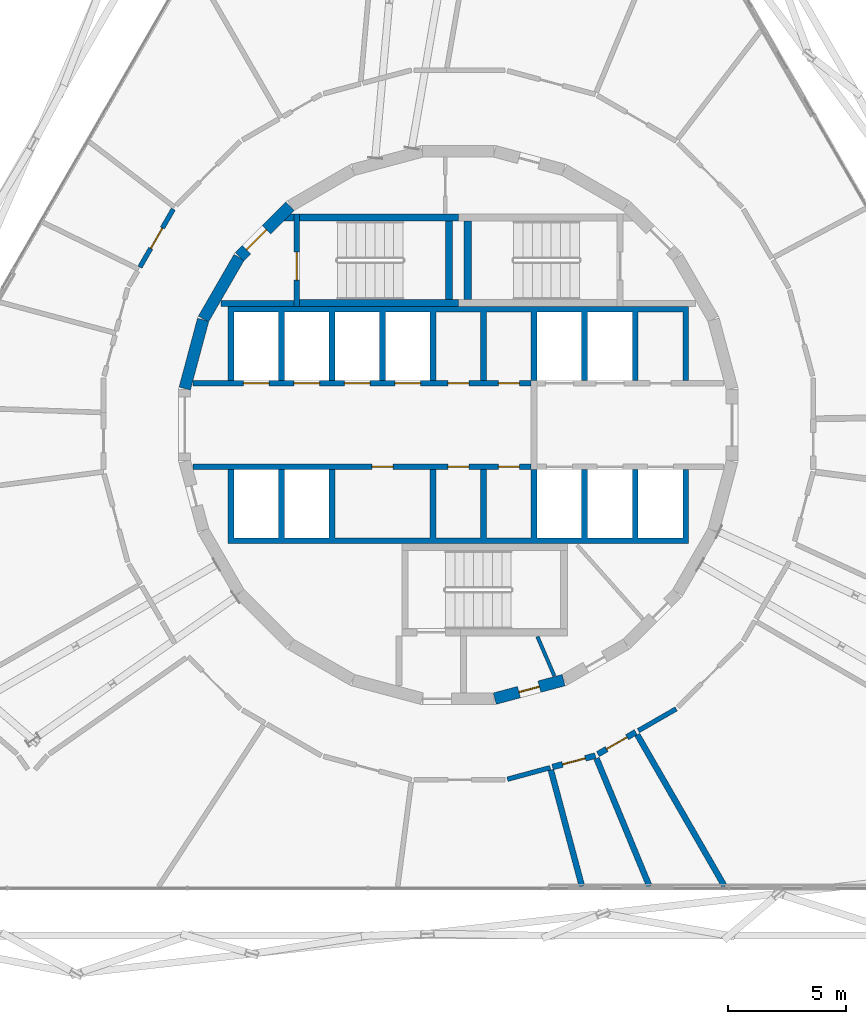
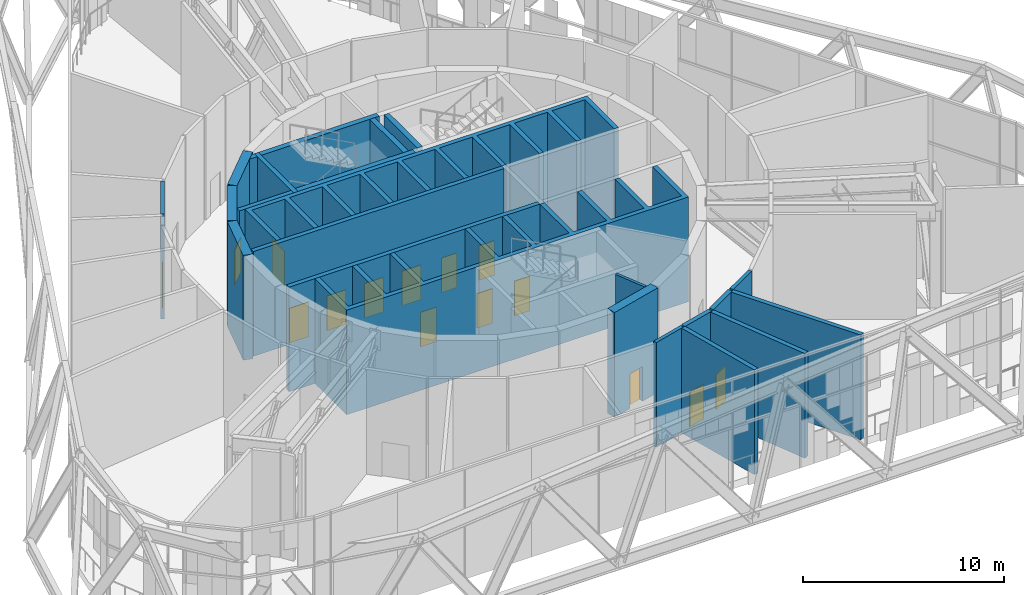
# One storey, part 24 of 29: 24 walls, 15 doors, 15 openings.
"""IFC4 building model written with IfcOpenShell, lengths in metres."""

from ifc_helpers import new_model, si_unit, direction, frame, frame_2d, origin, place, context, subcontext, project, spatial, polyline, rectangle, outline, extrude, material, layer, layer_set, type_object, element, fill, save


model = new_model("IFC4")

# Units and contexts
model_context = context("Model", 3, precision=1e-05, world=origin(), true_north=direction((0.0, 1.0)))
body_context = subcontext(model_context, "Body", "Model", "MODEL_VIEW")
ifc_project = project(units=[si_unit("LENGTHUNIT", "METRE"), si_unit("AREAUNIT", "SQUARE_METRE"), si_unit("VOLUMEUNIT", "CUBIC_METRE"), si_unit("PLANEANGLEUNIT", "RADIAN"), si_unit("MASSUNIT", "GRAM", prefix="KILO")], contexts=[model_context])

# Site, building, storey
site_placement = place(None, origin())
site = spatial("IfcSite", under=ifc_project, at=site_placement, CompositionType="ELEMENT")
building_placement = place(site_placement, origin())
building = spatial("IfcBuilding", under=site, at=building_placement, Name="Spindle Arch Residences", CompositionType="ELEMENT")
storey_placement = place(building_placement, frame((0.0, 0.0, 69.89990234375)))
storey = spatial("IfcBuildingStorey", under=building, at=storey_placement, Name="L16", CompositionType="ELEMENT", Elevation=69.89990234375)

# Wall, opening, door
ifc_material_1 = material(Name="Concrete C50/60", Category="concrete")
ifc_layer_1 = layer(ifc_material_1, 0.5)
ifc_layer_set_1 = layer_set([ifc_layer_1], Name="Core outline wall 500")
wall_type_1 = type_object("IfcWallType", Name="Core outline wall 500", PredefinedType="SHEAR", material=ifc_layer_set_1)
wall_1_placement = place(storey_placement, frame((1.5498046875, -11.642822265625, 0.0), z_axis=(0.0, 0.0, 1.0), x_axis=(0.965948410781, 0.258734743916, 0.0)))
wall_1 = element("IfcWall", 1, at=wall_1_placement, inside=storey, type_object=wall_type_1, Name="Core outline wall 1", PredefinedType="SHEAR", context=body_context, shape_type="SweptSolid", body=[
    extrude(rectangle(XDim=3.03271484375, YDim=0.5, at=frame_2d((1.516357421875, 0.0))), origin(), (0.0, 0.0, 1.0), 6.35009765625),
])
opening_1_placement = place(wall_1_placement, frame((1.06640625, 0.0, 0.0)))
opening_1 = element("IfcOpeningElement", 2, at=opening_1_placement, cuts=wall_1, Name="Opening L16-WD09", PredefinedType="OPENING", context=body_context, shape_type="SweptSolid", body=[
    extrude(rectangle(XDim=0.89990234375, YDim=2.10009765625, at=frame_2d((0.449951171875, 1.050048828125))), frame((0.0, 0.260009765625, 0.0), z_axis=(0.0, -1.0, 0.0), x_axis=(1.0, 0.0, 0.0)), (0.0, 0.0, 1.0), 0.52001953125),
])
ifc_material_2 = material(Name="Steel, fire-resisting door", Category="steel")
door_type_1 = type_object("IfcDoorType", Name="Service room door 900x2100", OperationType="SINGLE_SWING_LEFT", PredefinedType="DOOR", material=ifc_material_2)
door_1_placement = place(opening_1_placement, origin())
door_1 = element("IfcDoor", 3, at=door_1_placement, inside=storey, type_object=door_type_1, Name="Service room door L16-WD09", OperationType="SINGLE_SWING_RIGHT", OverallHeight=2.10009765625, OverallWidth=0.89990234375, PredefinedType="DOOR", context=body_context, shape_type="SweptSolid", body=[
    extrude(rectangle(XDim=0.89990234375, YDim=2.10009765625, at=frame_2d((0.449951171875, 1.050048828125))), frame((0.0, 0.02490234375, 0.0), z_axis=(0.0, -1.0, 0.0), x_axis=(1.0, 0.0, 0.0)), (0.0, 0.0, 1.0), 0.050048828125),
])
fill(opening_1, door_1)

wall_2_placement = place(storey_placement, frame((-7.163818359375, 9.30810546875, 0.0), z_axis=(0.0, 0.0, 1.0), x_axis=(-0.707106781187, -0.707106781187, 0.0)))
wall_2 = element("IfcWall", 4, at=wall_2_placement, inside=storey, type_object=wall_type_1, Name="Core outline wall 15", PredefinedType="SHEAR", context=body_context, shape_type="SweptSolid", body=[
    extrude(rectangle(XDim=3.032470703125, YDim=0.5, at=frame_2d((1.51611328125, 0.0))), origin(), (0.0, 0.0, 1.0), 6.35009765625),
])
opening_2_placement = place(wall_2_placement, frame((1.416259765625, 0.0, 0.0)))
opening_2 = element("IfcOpeningElement", 5, at=opening_2_placement, cuts=wall_2, Name="Opening L16-AD02", PredefinedType="OPENING", context=body_context, shape_type="SweptSolid", body=[
    extrude(rectangle(XDim=1.199951171875, YDim=2.10009765625, at=frame_2d((0.60009765625, 1.050048828125))), frame((0.0, 0.260009765625, 0.0), z_axis=(0.0, -1.0, 0.0), x_axis=(1.0, 0.0, 0.0)), (0.0, 0.0, 1.0), 0.52001953125),
])
ifc_material_3 = material(Name="Steel, fire-resisting door", Category="steel")
door_type_2 = type_object("IfcDoorType", Name="Stair airlock door 1200x2100", OperationType="SINGLE_SWING_LEFT", PredefinedType="DOOR", material=ifc_material_3)
door_2_placement = place(opening_2_placement, origin())
door_2 = element("IfcDoor", 6, at=door_2_placement, inside=storey, type_object=door_type_2, Name="Stair airlock door L16-AD02", OperationType="SINGLE_SWING_RIGHT", OverallHeight=2.10009765625, OverallWidth=1.199951171875, PredefinedType="DOOR", context=body_context, shape_type="SweptSolid", body=[
    extrude(rectangle(XDim=1.199951171875, YDim=2.10009765625, at=frame_2d((0.60009765625, 1.050048828125))), frame((0.0, 0.02490234375, 0.0), z_axis=(0.0, -1.0, 0.0), x_axis=(1.0, 0.0, 0.0)), (0.0, 0.0, 1.0), 0.050048828125),
])
fill(opening_2, door_2)

# Walls
for number, where, z_axis, x_axis, name in (
    (7, (-9.32861328125, 7.13671875, 0.0), (0.0, 0.0, 1.0), (-0.500087131594, -0.865975092491, 0.0), "Core outline wall 16"),
    (8, (-10.858154296875, 4.479248046875, 0.0), (0.0, 0.0, 1.0), (-0.258734743916, -0.965948410781, 0.0), "Core outline wall 17"),
):
    element("IfcWall", number, at=place(storey_placement, frame(where, z_axis=z_axis, x_axis=x_axis)), inside=storey, type_object=wall_type_1, Name=name, PredefinedType="SHEAR", context=body_context, shape_type="SweptSolid", body=[
        extrude(rectangle(XDim=3.03271484375, YDim=0.5, at=frame_2d((1.516357421875, 0.0))), origin(), (0.0, 0.0, 1.0), 6.35009765625),
    ])

# Wall, openings, doors
ifc_material_4 = material(Name="Concrete C50/60", Category="concrete")
ifc_layer_2 = layer(ifc_material_4, 0.25)
ifc_layer_set_2 = layer_set([ifc_layer_2], Name="Lift shaft wall 250")
wall_type_2 = type_object("IfcWallType", Name="Lift shaft wall 250", PredefinedType="SHEAR", material=ifc_layer_set_2)
wall_3_placement = place(storey_placement, frame((-11.280029296875, 1.77490234375, 0.0), z_axis=(0.0, 0.0, 1.0), x_axis=(1.0, 0.0, 0.0)))
wall_3 = element("IfcWall", 9, at=wall_3_placement, inside=storey, type_object=wall_type_2, Name="Lift shaft front wall NW", PredefinedType="SHEAR", context=body_context, shape_type="SweptSolid", body=[
    extrude(rectangle(XDim=14.380126953125, YDim=0.25, at=frame_2d((7.18994140625, 0.0))), origin(), (0.0, 0.0, 1.0), 6.35009765625),
])
opening_3_placement = place(wall_3_placement, frame((2.1298828125, 0.0, 0.0)))
opening_3 = element("IfcOpeningElement", 10, at=opening_3_placement, cuts=wall_3, Name="Opening L16-LD01", PredefinedType="OPENING", context=body_context, shape_type="SweptSolid", body=[
    extrude(rectangle(XDim=1.10009765625, YDim=2.10009765625, at=frame_2d((0.550048828125, 1.050048828125))), frame((0.0, 0.135009765625, 0.0), z_axis=(0.0, -1.0, 0.0), x_axis=(1.0, 0.0, 0.0)), (0.0, 0.0, 1.0), 0.27001953125),
])
opening_4_placement = place(wall_3_placement, frame((4.280029296875, 0.0, 0.0)))
opening_4 = element("IfcOpeningElement", 11, at=opening_4_placement, cuts=wall_3, Name="Opening L16-LD02", PredefinedType="OPENING", context=body_context, shape_type="SweptSolid", body=[
    extrude(rectangle(XDim=1.10009765625, YDim=2.10009765625, at=frame_2d((0.550048828125, 1.050048828125))), frame((0.0, 0.135009765625, 0.0), z_axis=(0.0, -1.0, 0.0), x_axis=(1.0, 0.0, 0.0)), (0.0, 0.0, 1.0), 0.27001953125),
])
opening_5_placement = place(wall_3_placement, frame((6.429931640625, 0.0, 0.0)))
opening_5 = element("IfcOpeningElement", 12, at=opening_5_placement, cuts=wall_3, Name="Opening L16-LD03", PredefinedType="OPENING", context=body_context, shape_type="SweptSolid", body=[
    extrude(rectangle(XDim=1.10009765625, YDim=2.10009765625, at=frame_2d((0.550048828125, 1.050048828125))), frame((0.0, 0.135009765625, 0.0), z_axis=(0.0, -1.0, 0.0), x_axis=(1.0, 0.0, 0.0)), (0.0, 0.0, 1.0), 0.27001953125),
])
opening_6_placement = place(wall_3_placement, frame((8.580078125, 0.0, 0.0)))
opening_6 = element("IfcOpeningElement", 13, at=opening_6_placement, cuts=wall_3, Name="Opening L16-LD04", PredefinedType="OPENING", context=body_context, shape_type="SweptSolid", body=[
    extrude(rectangle(XDim=1.10009765625, YDim=2.10009765625, at=frame_2d((0.550048828125, 1.050048828125))), frame((0.0, 0.135009765625, 0.0), z_axis=(0.0, -1.0, 0.0), x_axis=(1.0, 0.0, 0.0)), (0.0, 0.0, 1.0), 0.27001953125),
])
opening_7_placement = place(wall_3_placement, frame((10.830078125, 0.0, 0.0)))
opening_7 = element("IfcOpeningElement", 14, at=opening_7_placement, cuts=wall_3, Name="Opening L16-WD01", PredefinedType="OPENING", context=body_context, shape_type="SweptSolid", body=[
    extrude(rectangle(XDim=0.89990234375, YDim=2.10009765625, at=frame_2d((0.449951171875, 1.050048828125))), frame((0.0, 0.135009765625, 0.0), z_axis=(0.0, -1.0, 0.0), x_axis=(1.0, 0.0, 0.0)), (0.0, 0.0, 1.0), 0.27001953125),
])
opening_8_placement = place(wall_3_placement, frame((12.97998046875, 0.0, 0.0)))
opening_8 = element("IfcOpeningElement", 15, at=opening_8_placement, cuts=wall_3, Name="Opening L16-WD02", PredefinedType="OPENING", context=body_context, shape_type="SweptSolid", body=[
    extrude(rectangle(XDim=0.89990234375, YDim=2.10009765625, at=frame_2d((0.449951171875, 1.050048828125))), frame((0.0, 0.135009765625, 0.0), z_axis=(0.0, -1.0, 0.0), x_axis=(1.0, 0.0, 0.0)), (0.0, 0.0, 1.0), 0.27001953125),
])
ifc_material_5 = material(Name="Steel, fire-resisting landing door", Category="steel")
door_type_3 = type_object("IfcDoorType", Name="Lift landing door 1100x2100", OperationType="DOUBLE_DOOR_SLIDING", PredefinedType="DOOR", material=ifc_material_5)
door_3_placement = place(opening_3_placement, origin())
door_3 = element("IfcDoor", 16, at=door_3_placement, inside=storey, type_object=door_type_3, Name="Lift landing door L16-LD01", OperationType="DOUBLE_DOOR_SLIDING", OverallHeight=2.10009765625, OverallWidth=1.10009765625, PredefinedType="DOOR", context=body_context, shape_type="SweptSolid", body=[
    extrude(rectangle(XDim=1.10009765625, YDim=2.10009765625, at=frame_2d((0.550048828125, 1.050048828125))), frame((0.0, 0.02490234375, 0.0), z_axis=(0.0, -1.0, 0.0), x_axis=(1.0, 0.0, 0.0)), (0.0, 0.0, 1.0), 0.050048828125),
])
fill(opening_3, door_3)
door_4_placement = place(opening_4_placement, origin())
door_4 = element("IfcDoor", 17, at=door_4_placement, inside=storey, type_object=door_type_3, Name="Lift landing door L16-LD02", OperationType="DOUBLE_DOOR_SLIDING", OverallHeight=2.10009765625, OverallWidth=1.10009765625, PredefinedType="DOOR", context=body_context, shape_type="SweptSolid", body=[
    extrude(rectangle(XDim=1.10009765625, YDim=2.10009765625, at=frame_2d((0.550048828125, 1.050048828125))), frame((0.0, 0.02490234375, 0.0), z_axis=(0.0, -1.0, 0.0), x_axis=(1.0, 0.0, 0.0)), (0.0, 0.0, 1.0), 0.050048828125),
])
fill(opening_4, door_4)
door_5_placement = place(opening_5_placement, origin())
door_5 = element("IfcDoor", 18, at=door_5_placement, inside=storey, type_object=door_type_3, Name="Lift landing door L16-LD03", OperationType="DOUBLE_DOOR_SLIDING", OverallHeight=2.10009765625, OverallWidth=1.10009765625, PredefinedType="DOOR", context=body_context, shape_type="SweptSolid", body=[
    extrude(rectangle(XDim=1.10009765625, YDim=2.10009765625, at=frame_2d((0.550048828125, 1.050048828125))), frame((0.0, 0.02490234375, 0.0), z_axis=(0.0, -1.0, 0.0), x_axis=(1.0, 0.0, 0.0)), (0.0, 0.0, 1.0), 0.050048828125),
])
fill(opening_5, door_5)
door_6_placement = place(opening_6_placement, origin())
door_6 = element("IfcDoor", 19, at=door_6_placement, inside=storey, type_object=door_type_3, Name="Lift landing door L16-LD04", OperationType="DOUBLE_DOOR_SLIDING", OverallHeight=2.10009765625, OverallWidth=1.10009765625, PredefinedType="DOOR", context=body_context, shape_type="SweptSolid", body=[
    extrude(rectangle(XDim=1.10009765625, YDim=2.10009765625, at=frame_2d((0.550048828125, 1.050048828125))), frame((0.0, 0.02490234375, 0.0), z_axis=(0.0, -1.0, 0.0), x_axis=(1.0, 0.0, 0.0)), (0.0, 0.0, 1.0), 0.050048828125),
])
fill(opening_6, door_6)
door_7_placement = place(opening_7_placement, origin())
door_7 = element("IfcDoor", 20, at=door_7_placement, inside=storey, type_object=door_type_1, Name="Service room door L16-WD01", OperationType="SINGLE_SWING_RIGHT", OverallHeight=2.10009765625, OverallWidth=0.89990234375, PredefinedType="DOOR", context=body_context, shape_type="SweptSolid", body=[
    extrude(rectangle(XDim=0.89990234375, YDim=2.10009765625, at=frame_2d((0.449951171875, 1.050048828125))), frame((0.0, 0.02490234375, 0.0), z_axis=(0.0, -1.0, 0.0), x_axis=(1.0, 0.0, 0.0)), (0.0, 0.0, 1.0), 0.050048828125),
])
fill(opening_7, door_7)
door_8_placement = place(opening_8_placement, origin())
door_8 = element("IfcDoor", 21, at=door_8_placement, inside=storey, type_object=door_type_1, Name="Service room door L16-WD02", OperationType="SINGLE_SWING_LEFT", OverallHeight=2.10009765625, OverallWidth=0.89990234375, PredefinedType="DOOR", context=body_context, shape_type="SweptSolid", body=[
    extrude(rectangle(XDim=0.89990234375, YDim=2.10009765625, at=frame_2d((0.449951171875, 1.050048828125))), frame((0.0, 0.02490234375, 0.0), z_axis=(0.0, -1.0, 0.0), x_axis=(1.0, 0.0, 0.0)), (0.0, 0.0, 1.0), 0.050048828125),
])
fill(opening_8, door_8)

wall_4_placement = place(storey_placement, frame((-11.280029296875, -1.77490234375, 0.0), z_axis=(0.0, 0.0, 1.0), x_axis=(1.0, 0.0, 0.0)))
wall_4 = element("IfcWall", 22, at=wall_4_placement, inside=storey, type_object=wall_type_2, Name="Lift shaft front wall SW", PredefinedType="SHEAR", context=body_context, shape_type="SweptSolid", body=[
    extrude(rectangle(XDim=14.380126953125, YDim=0.25, at=frame_2d((7.18994140625, 0.0))), origin(), (0.0, 0.0, 1.0), 6.35009765625),
])
opening_9_placement = place(wall_4_placement, frame((7.60498046875, 0.0, 0.0)))
opening_9 = element("IfcOpeningElement", 23, at=opening_9_placement, cuts=wall_4, Name="Opening L16-WD04", PredefinedType="OPENING", context=body_context, shape_type="SweptSolid", body=[
    extrude(rectangle(XDim=0.89990234375, YDim=2.10009765625, at=frame_2d((0.449951171875, 1.050048828125))), frame((0.0, 0.135009765625, 0.0), z_axis=(0.0, -1.0, 0.0), x_axis=(1.0, 0.0, 0.0)), (0.0, 0.0, 1.0), 0.27001953125),
])
opening_10_placement = place(wall_4_placement, frame((10.830078125, 0.0, 0.0)))
opening_10 = element("IfcOpeningElement", 24, at=opening_10_placement, cuts=wall_4, Name="Opening L16-WD05", PredefinedType="OPENING", context=body_context, shape_type="SweptSolid", body=[
    extrude(rectangle(XDim=0.89990234375, YDim=2.10009765625, at=frame_2d((0.449951171875, 1.050048828125))), frame((0.0, 0.135009765625, 0.0), z_axis=(0.0, -1.0, 0.0), x_axis=(1.0, 0.0, 0.0)), (0.0, 0.0, 1.0), 0.27001953125),
])
opening_11_placement = place(wall_4_placement, frame((12.97998046875, 0.0, 0.0)))
opening_11 = element("IfcOpeningElement", 25, at=opening_11_placement, cuts=wall_4, Name="Opening L16-WD06", PredefinedType="OPENING", context=body_context, shape_type="SweptSolid", body=[
    extrude(rectangle(XDim=0.89990234375, YDim=2.10009765625, at=frame_2d((0.449951171875, 1.050048828125))), frame((0.0, 0.135009765625, 0.0), z_axis=(0.0, -1.0, 0.0), x_axis=(1.0, 0.0, 0.0)), (0.0, 0.0, 1.0), 0.27001953125),
])
door_9_placement = place(opening_9_placement, origin())
door_9 = element("IfcDoor", 26, at=door_9_placement, inside=storey, type_object=door_type_1, Name="Service room door L16-WD04", OperationType="SINGLE_SWING_LEFT", OverallHeight=2.10009765625, OverallWidth=0.89990234375, PredefinedType="DOOR", context=body_context, shape_type="SweptSolid", body=[
    extrude(rectangle(XDim=0.89990234375, YDim=2.10009765625, at=frame_2d((0.449951171875, 1.050048828125))), frame((0.0, 0.02490234375, 0.0), z_axis=(0.0, -1.0, 0.0), x_axis=(1.0, 0.0, 0.0)), (0.0, 0.0, 1.0), 0.050048828125),
])
fill(opening_9, door_9)
door_10_placement = place(opening_10_placement, origin())
door_10 = element("IfcDoor", 27, at=door_10_placement, inside=storey, type_object=door_type_1, Name="Service room door L16-WD05", OperationType="SINGLE_SWING_RIGHT", OverallHeight=2.10009765625, OverallWidth=0.89990234375, PredefinedType="DOOR", context=body_context, shape_type="SweptSolid", body=[
    extrude(rectangle(XDim=0.89990234375, YDim=2.10009765625, at=frame_2d((0.449951171875, 1.050048828125))), frame((0.0, 0.02490234375, 0.0), z_axis=(0.0, -1.0, 0.0), x_axis=(1.0, 0.0, 0.0)), (0.0, 0.0, 1.0), 0.050048828125),
])
fill(opening_10, door_10)
door_11_placement = place(opening_11_placement, origin())
door_11 = element("IfcDoor", 28, at=door_11_placement, inside=storey, type_object=door_type_1, Name="Service room door L16-WD06", OperationType="SINGLE_SWING_LEFT", OverallHeight=2.10009765625, OverallWidth=0.89990234375, PredefinedType="DOOR", context=body_context, shape_type="SweptSolid", body=[
    extrude(rectangle(XDim=0.89990234375, YDim=2.10009765625, at=frame_2d((0.449951171875, 1.050048828125))), frame((0.0, 0.02490234375, 0.0), z_axis=(0.0, -1.0, 0.0), x_axis=(1.0, 0.0, 0.0)), (0.0, 0.0, 1.0), 0.050048828125),
])
fill(opening_11, door_11)

# Walls
ifc_material_6 = material(Name="Concrete C50/60", Category="concrete")
wall_type_3 = type_object("IfcWallType", Name="Lift shaft wall profile", PredefinedType="SHEAR", material=ifc_material_6)
wall_5_placement = place(storey_placement, origin())
element("IfcWall", 29, at=wall_5_placement, inside=storey, type_object=wall_type_3, Name="Lift shaft walls N", PredefinedType="SHEAR", context=body_context, shape_type="SweptSolid", body=[
    extrude(outline(polyline([(-9.550048828125, 4.800048828125), (-7.64990234375, 4.800048828125), (-7.64990234375, 1.89990234375), (-7.39990234375, 1.89990234375), (-7.39990234375, 4.800048828125), (-5.5, 4.800048828125), (-5.5, 1.89990234375), (-5.25, 1.89990234375), (-5.25, 4.800048828125), (-3.35009765625, 4.800048828125), (-3.35009765625, 1.89990234375), (-3.10009765625, 1.89990234375), (-3.10009765625, 4.800048828125), (-1.199951171875, 4.800048828125), (-1.199951171875, 1.89990234375), (-0.949951171875, 1.89990234375), (-0.949951171875, 4.800048828125), (0.949951171875, 4.800048828125), (0.949951171875, 1.89990234375), (1.199951171875, 1.89990234375), (1.199951171875, 4.800048828125), (3.10009765625, 4.800048828125), (3.10009765625, 1.89990234375), (3.35009765625, 1.89990234375), (3.35009765625, 4.800048828125), (5.25, 4.800048828125), (5.25, 1.89990234375), (5.5, 1.89990234375), (5.5, 4.800048828125), (7.39990234375, 4.800048828125), (7.39990234375, 1.89990234375), (7.64990234375, 1.89990234375), (7.64990234375, 4.800048828125), (9.550048828125, 4.800048828125), (9.550048828125, 1.89990234375), (9.800048828125, 1.89990234375), (9.800048828125, 4.800048828125), (9.800048828125, 5.050048828125), (-9.800048828125, 5.050048828125), (-9.800048828125, 4.800048828125), (-9.800048828125, 1.89990234375), (-9.550048828125, 1.89990234375), (-9.550048828125, 4.800048828125)])), origin(), (0.0, 0.0, 1.0), 6.35009765625),
])
wall_6_placement = place(storey_placement, origin())
element("IfcWall", 30, at=wall_6_placement, inside=storey, type_object=wall_type_3, Name="Lift shaft walls S", PredefinedType="SHEAR", context=body_context, shape_type="SweptSolid", body=[
    extrude(outline(polyline([(9.800048828125, -5.050048828125), (9.800048828125, -4.800048828125), (9.800048828125, -1.89990234375), (9.550048828125, -1.89990234375), (9.550048828125, -4.800048828125), (7.64990234375, -4.800048828125), (7.64990234375, -1.89990234375), (7.39990234375, -1.89990234375), (7.39990234375, -4.800048828125), (5.5, -4.800048828125), (5.5, -1.89990234375), (5.25, -1.89990234375), (5.25, -4.800048828125), (3.35009765625, -4.800048828125), (3.35009765625, -1.89990234375), (3.10009765625, -1.89990234375), (3.10009765625, -4.800048828125), (1.199951171875, -4.800048828125), (1.199951171875, -1.89990234375), (0.949951171875, -1.89990234375), (0.949951171875, -4.800048828125), (-0.949951171875, -4.800048828125), (-0.949951171875, -1.89990234375), (-1.199951171875, -1.89990234375), (-1.199951171875, -4.800048828125), (-5.25, -4.800048828125), (-5.25, -1.89990234375), (-5.5, -1.89990234375), (-5.5, -4.800048828125), (-7.39990234375, -4.800048828125), (-7.39990234375, -1.89990234375), (-7.64990234375, -1.89990234375), (-7.64990234375, -4.800048828125), (-9.550048828125, -4.800048828125), (-9.550048828125, -1.89990234375), (-9.800048828125, -1.89990234375), (-9.800048828125, -4.800048828125), (-9.800048828125, -5.050048828125), (9.800048828125, -5.050048828125)])), origin(), (0.0, 0.0, 1.0), 6.35009765625),
])
ifc_material_7 = material(Name="Concrete C25/30 wall", Category="concrete")
ifc_layer_3 = layer(ifc_material_7, 0.25)
ifc_layer_set_3 = layer_set([ifc_layer_3], Name="Partition EI 120 250 store")
wall_type_4 = type_object("IfcWallType", Name="Partition EI 120 250 store", PredefinedType="PARTITIONING", material=ifc_layer_set_3)
wall_7_placement = place(storey_placement, frame((3.935791015625, -14.676513671875, 0.0), z_axis=(0.0, 0.0, 1.0), x_axis=(0.258267180327, -0.966073529068, 0.0)))
element("IfcWall", 31, at=wall_7_placement, inside=storey, type_object=wall_type_4, Name="L16-W042", PredefinedType="PARTITIONING", context=body_context, shape_type="SweptSolid", body=[
    extrude(rectangle(XDim=5.12744140625, YDim=0.25, at=frame_2d((2.563720703125, 0.0))), origin(), (0.0, 0.0, 1.0), 6.35009765625),
])

# Wall, opening, door
wall_8_placement = place(storey_placement, frame((4.006591796875, -14.554443359375, 0.0), z_axis=(0.0, 0.0, 1.0), x_axis=(0.966483621923, 0.256728277667, 0.0)))
wall_8 = element("IfcWall", 32, at=wall_8_placement, inside=storey, type_object=wall_type_4, Name="L16-W043", PredefinedType="PARTITIONING", context=body_context, shape_type="SweptSolid", body=[
    extrude(rectangle(XDim=1.88671875, YDim=0.25, at=frame_2d((0.943359375, 0.0))), origin(), (0.0, 0.0, 1.0), 6.35009765625),
])
opening_12_placement = place(wall_8_placement, frame((0.443359375, 0.0, 0.0)))
opening_12 = element("IfcOpeningElement", 33, at=opening_12_placement, cuts=wall_8, Name="Opening L16-D02", PredefinedType="OPENING", context=body_context, shape_type="SweptSolid", body=[
    extrude(rectangle(XDim=1.0, YDim=2.10009765625, at=frame_2d((0.5, 1.050048828125))), frame((0.0, 0.135009765625, 0.0), z_axis=(0.0, -1.0, 0.0), x_axis=(1.0, 0.0, 0.0)), (0.0, 0.0, 1.0), 0.27001953125),
])
ifc_material_8 = material(Name="Steel door leaf, painted", Category="steel")
door_type_4 = type_object("IfcDoorType", Name="Door 1000x2100 EI 60", OperationType="SINGLE_SWING_LEFT", PredefinedType="DOOR", material=ifc_material_8)
door_12_placement = place(opening_12_placement, origin())
door_12 = element("IfcDoor", 34, at=door_12_placement, inside=storey, type_object=door_type_4, Name="L16-D02", OperationType="SINGLE_SWING_LEFT", OverallHeight=2.10009765625, OverallWidth=1.0, PredefinedType="DOOR", context=body_context, shape_type="SweptSolid", body=[
    extrude(rectangle(XDim=1.0, YDim=2.10009765625, at=frame_2d((0.5, 1.050048828125))), frame((0.0, 0.02490234375, 0.0), z_axis=(0.0, -1.0, 0.0), x_axis=(1.0, 0.0, 0.0)), (0.0, 0.0, 1.0), 0.050048828125),
])
fill(opening_12, door_12)

wall_9_placement = place(storey_placement, frame((5.93798828125, -14.007080078125, 0.0), z_axis=(0.0, 0.0, 1.0), x_axis=(0.864561429024, 0.502527148962, 0.0)))
wall_9 = element("IfcWall", 35, at=wall_9_placement, inside=storey, type_object=wall_type_4, Name="L16-W044", PredefinedType="PARTITIONING", context=body_context, shape_type="SweptSolid", body=[
    extrude(rectangle(XDim=1.864501953125, YDim=0.25, at=frame_2d((0.93212890625, 0.0))), origin(), (0.0, 0.0, 1.0), 6.35009765625),
])
opening_13_placement = place(wall_9_placement, frame((0.432373046875, 0.0, 0.0)))
opening_13 = element("IfcOpeningElement", 36, at=opening_13_placement, cuts=wall_9, Name="Opening L16-D04", PredefinedType="OPENING", context=body_context, shape_type="SweptSolid", body=[
    extrude(rectangle(XDim=1.0, YDim=2.10009765625, at=frame_2d((0.5, 1.050048828125))), frame((0.0, 0.135009765625, 0.0), z_axis=(0.0, -1.0, 0.0), x_axis=(1.0, 0.0, 0.0)), (0.0, 0.0, 1.0), 0.27001953125),
])
door_13_placement = place(opening_13_placement, origin())
door_13 = element("IfcDoor", 37, at=door_13_placement, inside=storey, type_object=door_type_4, Name="L16-D04", OperationType="SINGLE_SWING_LEFT", OverallHeight=2.10009765625, OverallWidth=1.0, PredefinedType="DOOR", context=body_context, shape_type="SweptSolid", body=[
    extrude(rectangle(XDim=1.0, YDim=2.10009765625, at=frame_2d((0.5, 1.050048828125))), frame((0.0, 0.02490234375, 0.0), z_axis=(0.0, -1.0, 0.0), x_axis=(1.0, 0.0, 0.0)), (0.0, 0.0, 1.0), 0.050048828125),
])
fill(opening_13, door_13)

# Walls
wall_10_placement = place(storey_placement, frame((5.877685546875, -14.185546875, 0.0), z_axis=(0.0, 0.0, 1.0), x_axis=(0.382260291958, -0.924054689503, 0.0)))
element("IfcWall", 38, at=wall_10_placement, inside=storey, type_object=wall_type_4, Name="L16-W045", PredefinedType="PARTITIONING", context=body_context, shape_type="SweptSolid", body=[
    extrude(rectangle(XDim=5.891845703125, YDim=0.25, at=frame_2d((2.94580078125, 0.0))), origin(), (0.0, 0.0, 1.0), 6.35009765625),
])
wall_11_placement = place(storey_placement, frame((7.6123046875, -13.17822265625, 0.0), z_axis=(0.0, 0.0, 1.0), x_axis=(0.499285274142, -0.866437657899, 0.0)))
element("IfcWall", 39, at=wall_11_placement, inside=storey, type_object=wall_type_4, Name="L16-W048", PredefinedType="PARTITIONING", context=body_context, shape_type="SweptSolid", body=[
    extrude(rectangle(XDim=7.4462890625, YDim=0.25, at=frame_2d((3.72314453125, 0.0))), origin(), (0.0, 0.0, 1.0), 6.35009765625),
])

# Wall, opening, door
ifc_material_9 = material(Name="Gypsum board partition on steel studs", Category="steel")
ifc_layer_4 = layer(ifc_material_9, 0.199951171875)
ifc_layer_set_4 = layer_set([ifc_layer_4], Name="Partition EI 60 200 amenity")
wall_type_5 = type_object("IfcWallType", Name="Partition EI 60 200 amenity", PredefinedType="PARTITIONING", material=ifc_layer_set_4)
wall_12_placement = place(storey_placement, frame((-12.1298828125, 9.183349609375, 0.0), z_axis=(0.0, 0.0, 1.0), x_axis=(-0.498935163829, -0.866639314995, 0.0)))
wall_12 = element("IfcWall", 40, at=wall_12_placement, inside=storey, type_object=wall_type_5, Name="L16-W021", PredefinedType="PARTITIONING", context=body_context, shape_type="SweptSolid", body=[
    extrude(rectangle(XDim=2.846435546875, YDim=0.199951171875, at=frame_2d((1.42333984375, 0.0))), origin(), (0.0, 0.0, 1.0), 6.35009765625),
])
opening_14_placement = place(wall_12_placement, frame((0.923095703125, 0.0, 0.0)))
opening_14 = element("IfcOpeningElement", 41, at=opening_14_placement, cuts=wall_12, Name="Opening L16-D14", PredefinedType="OPENING", context=body_context, shape_type="SweptSolid", body=[
    extrude(rectangle(XDim=1.0, YDim=2.10009765625, at=frame_2d((0.5, 1.050048828125))), frame((0.0, 0.10986328125, 0.0), z_axis=(0.0, -1.0, 0.0), x_axis=(1.0, 0.0, 0.0)), (0.0, 0.0, 1.0), 0.219970703125),
])
ifc_material_10 = material(Name="Timber door leaf", Category="wood")
door_type_5 = type_object("IfcDoorType", Name="Door 1000x2100 EI 30", OperationType="SINGLE_SWING_LEFT", PredefinedType="DOOR", material=ifc_material_10)
door_14_placement = place(opening_14_placement, origin())
door_14 = element("IfcDoor", 42, at=door_14_placement, inside=storey, type_object=door_type_5, Name="L16-D14", OperationType="SINGLE_SWING_LEFT", OverallHeight=2.10009765625, OverallWidth=1.0, PredefinedType="DOOR", context=body_context, shape_type="SweptSolid", body=[
    extrude(rectangle(XDim=1.0, YDim=2.10009765625, at=frame_2d((0.5, 1.050048828125))), frame((0.0, 0.02490234375, 0.0), z_axis=(0.0, -1.0, 0.0), x_axis=(1.0, 0.0, 0.0)), (0.0, 0.0, 1.0), 0.050048828125),
])
fill(opening_14, door_14)

# Walls
wall_13_placement = place(storey_placement, frame((2.08642578125, -15.073974609375, 0.0), z_axis=(0.0, 0.0, 1.0), x_axis=(0.965221616417, 0.261433033875, 0.0)))
element("IfcWall", 43, at=wall_13_placement, inside=storey, type_object=wall_type_5, Name="L16-W040", PredefinedType="PARTITIONING", context=body_context, shape_type="SweptSolid", body=[
    extrude(rectangle(XDim=1.88916015625, YDim=0.199951171875, at=frame_2d((0.944580078125, 0.0))), origin(), (0.0, 0.0, 1.0), 6.35009765625),
])
wall_14_placement = place(storey_placement, frame((7.658447265625, -13.007568359375, 0.0), z_axis=(0.0, 0.0, 1.0), x_axis=(0.86671190811, 0.498809049979, 0.0)))
element("IfcWall", 44, at=wall_14_placement, inside=storey, type_object=wall_type_5, Name="L16-W047", PredefinedType="PARTITIONING", context=body_context, shape_type="SweptSolid", body=[
    extrude(rectangle(XDim=1.859375, YDim=0.199951171875, at=frame_2d((0.9296875, 0.0))), origin(), (0.0, 0.0, 1.0), 6.35009765625),
])
ifc_material_11 = material(Name="Concrete C25/30", Category="concrete")
ifc_layer_5 = layer(ifc_material_11, 0.14990234375)
ifc_layer_set_5 = layer_set([ifc_layer_5], Name="Service room partition 150")
wall_type_6 = type_object("IfcWallType", Name="Service room partition 150", PredefinedType="PARTITIONING", material=ifc_layer_set_5)
wall_15_placement = place(storey_placement, frame((3.366943359375, -9.0068359375, 0.0), z_axis=(0.0, 0.0, 1.0), x_axis=(0.394387482265, -0.918944238696, 0.0)))
element("IfcWall", 45, at=wall_15_placement, inside=storey, type_object=wall_type_6, Name="Core service room partition", PredefinedType="PARTITIONING", context=body_context, shape_type="SweptSolid", body=[
    extrude(rectangle(XDim=1.824951171875, YDim=0.14990234375, at=frame_2d((0.91259765625, 0.0))), origin(), (0.0, 0.0, 1.0), 6.35009765625),
])
ifc_material_12 = material(Name="Concrete C40/50", Category="concrete")
ifc_layer_6 = layer(ifc_material_12, 0.25)
ifc_layer_set_6 = layer_set([ifc_layer_6], Name="Stair airlock wall 250")
wall_type_7 = type_object("IfcWallType", Name="Stair airlock wall 250", PredefinedType="SHEAR", material=ifc_layer_set_6)
wall_16_placement = place(storey_placement, frame((-7.0, 5.175048828125, 0.0), z_axis=(0.0, 0.0, 1.0), x_axis=(-1.0, 0.0, 0.0)))
element("IfcWall", 46, at=wall_16_placement, inside=storey, type_object=wall_type_7, Name="Stair ST-2 airlock wall S", PredefinedType="SHEAR", context=body_context, shape_type="SweptSolid", body=[
    extrude(rectangle(XDim=3.10009765625, YDim=0.25, at=frame_2d((1.550048828125, 0.0))), origin(), (0.0, 0.0, 1.0), 6.35009765625),
])
ifc_material_13 = material(Name="Concrete C40/50", Category="concrete")
wall_type_8 = type_object("IfcWallType", Name="Stair airlock wall profile", PredefinedType="SHEAR", material=ifc_material_13)
wall_17_placement = place(storey_placement, origin())
element("IfcWall", 47, at=wall_17_placement, inside=storey, type_object=wall_type_8, Name="Stair ST-2 airlock wall N", PredefinedType="SHEAR", context=body_context, shape_type="SweptSolid", body=[
    extrude(outline(polyline([(-7.148193359375, 8.969970703125), (-7.0, 8.969970703125), (-7.0, 8.669921875), (-7.4482421875, 8.669921875), (-7.148193359375, 8.969970703125)])), origin(), (0.0, 0.0, 1.0), 6.35009765625),
])

# Wall, opening, door
ifc_material_14 = material(Name="Concrete C50/60", Category="concrete")
ifc_layer_7 = layer(ifc_material_14, 0.25)
ifc_layer_set_7 = layer_set([ifc_layer_7], Name="Stair enclosure wall 250")
wall_type_9 = type_object("IfcWallType", Name="Stair enclosure wall 250", PredefinedType="SHEAR", material=ifc_layer_set_7)
wall_18_placement = place(storey_placement, frame((-6.875, 8.969970703125, 0.0), z_axis=(0.0, 0.0, 1.0), x_axis=(0.0, -1.0, 0.0)))
wall_18 = element("IfcWall", 48, at=wall_18_placement, inside=storey, type_object=wall_type_9, Name="Stair ST-2 door wall", PredefinedType="SHEAR", context=body_context, shape_type="SweptSolid", body=[
    extrude(rectangle(XDim=3.919921875, YDim=0.25, at=frame_2d((1.9599609375, 0.0))), origin(), (0.0, 0.0, 1.0), 6.35009765625),
])
opening_15_placement = place(wall_18_placement, frame((1.610107421875, 0.0, 0.0)))
opening_15 = element("IfcOpeningElement", 49, at=opening_15_placement, cuts=wall_18, Name="Opening L16-SD02", PredefinedType="OPENING", context=body_context, shape_type="SweptSolid", body=[
    extrude(rectangle(XDim=1.199951171875, YDim=2.10009765625, at=frame_2d((0.60009765625, 1.050048828125))), frame((0.0, 0.135009765625, 0.0), z_axis=(0.0, -1.0, 0.0), x_axis=(1.0, 0.0, 0.0)), (0.0, 0.0, 1.0), 0.27001953125),
])
ifc_material_15 = material(Name="Steel, fire-resisting door", Category="steel")
door_type_6 = type_object("IfcDoorType", Name="Stair door 1200x2100", OperationType="SINGLE_SWING_RIGHT", PredefinedType="DOOR", material=ifc_material_15)
door_15_placement = place(opening_15_placement, origin())
door_15 = element("IfcDoor", 50, at=door_15_placement, inside=storey, type_object=door_type_6, Name="Stair door L16-SD02", OperationType="SINGLE_SWING_LEFT", OverallHeight=2.10009765625, OverallWidth=1.199951171875, PredefinedType="DOOR", context=body_context, shape_type="SweptSolid", body=[
    extrude(rectangle(XDim=1.199951171875, YDim=2.10009765625, at=frame_2d((0.60009765625, 1.050048828125))), frame((0.0, 0.02490234375, 0.0), z_axis=(0.0, -1.0, 0.0), x_axis=(1.0, 0.0, 0.0)), (0.0, 0.0, 1.0), 0.050048828125),
])
fill(opening_15, door_15)

# Walls
ifc_material_16 = material(Name="Concrete C50/60", Category="concrete")
ifc_layer_8 = layer(ifc_material_16, 0.300048828125)
ifc_layer_set_8 = layer_set([ifc_layer_8], Name="Stair enclosure wall 300")
wall_type_10 = type_object("IfcWallType", Name="Stair enclosure wall 300", PredefinedType="SHEAR", material=ifc_layer_set_8)
wall_19_placement = place(storey_placement, frame((0.39990234375, 5.35009765625, 0.0), z_axis=(0.0, 0.0, 1.0), x_axis=(0.0, 1.0, 0.0)))
element("IfcWall", 51, at=wall_19_placement, inside=storey, type_object=wall_type_10, Name="Stair ST-1 enclosure wall F", PredefinedType="SHEAR", context=body_context, shape_type="SweptSolid", body=[
    extrude(rectangle(XDim=3.31982421875, YDim=0.300048828125, at=frame_2d((1.659912109375, 0.0))), origin(), (0.0, 0.0, 1.0), 6.35009765625),
])
for number, where, z_axis, x_axis, name in (
    (52, (-6.75, 5.199951171875, 0.0), (0.0, 0.0, 1.0), (1.0, 0.0, 0.0), "Stair ST-2 enclosure wall S"),
    (53, (-6.75, 8.820068359375, 0.0), (0.0, 0.0, 1.0), (1.0, 0.0, 0.0), "Stair ST-2 enclosure wall N"),
):
    element("IfcWall", number, at=place(storey_placement, frame(where, z_axis=z_axis, x_axis=x_axis)), inside=storey, type_object=wall_type_10, Name=name, PredefinedType="SHEAR", context=body_context, shape_type="SweptSolid", body=[
        extrude(rectangle(XDim=6.75, YDim=0.300048828125, at=frame_2d((3.375, 0.0))), origin(), (0.0, 0.0, 1.0), 6.35009765625),
    ])
wall_20_placement = place(storey_placement, frame((-0.39990234375, 5.35009765625, 0.0), z_axis=(0.0, 0.0, 1.0), x_axis=(0.0, 1.0, 0.0)))
element("IfcWall", 54, at=wall_20_placement, inside=storey, type_object=wall_type_10, Name="Stair ST-2 enclosure wall F", PredefinedType="SHEAR", context=body_context, shape_type="SweptSolid", body=[
    extrude(rectangle(XDim=3.31982421875, YDim=0.300048828125, at=frame_2d((1.659912109375, 0.0))), origin(), (0.0, 0.0, 1.0), 6.35009765625),
])

save(model, "model.ifc")
